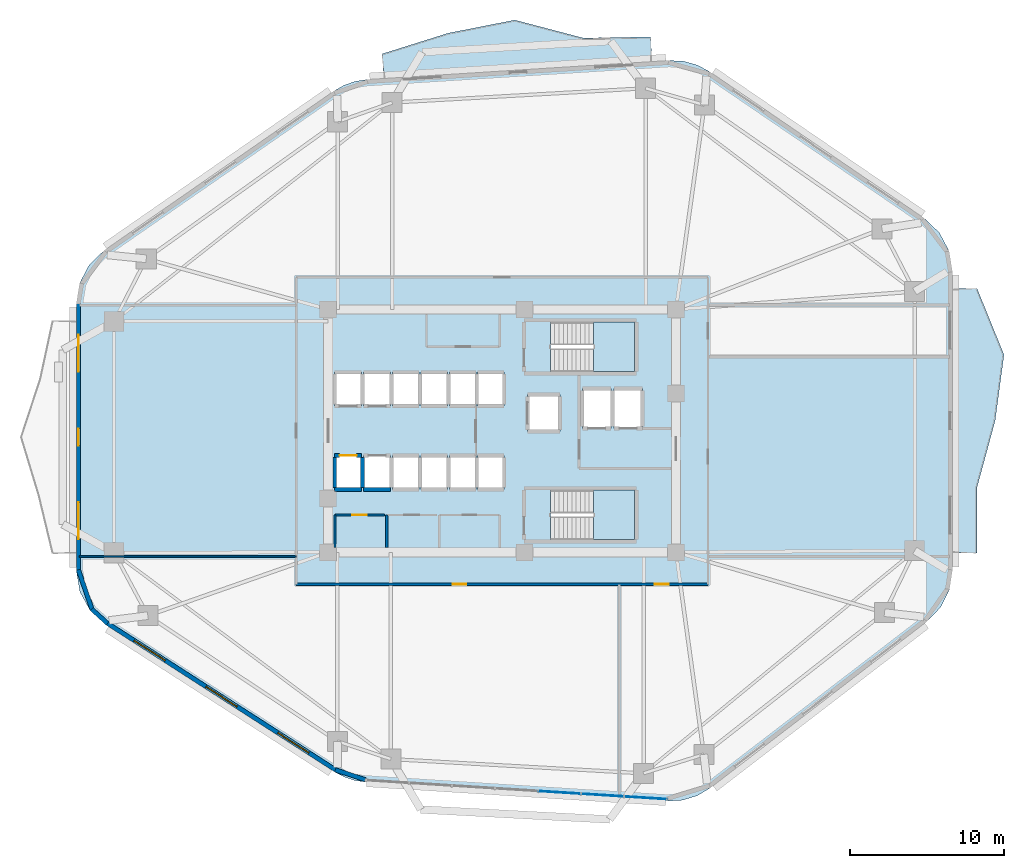
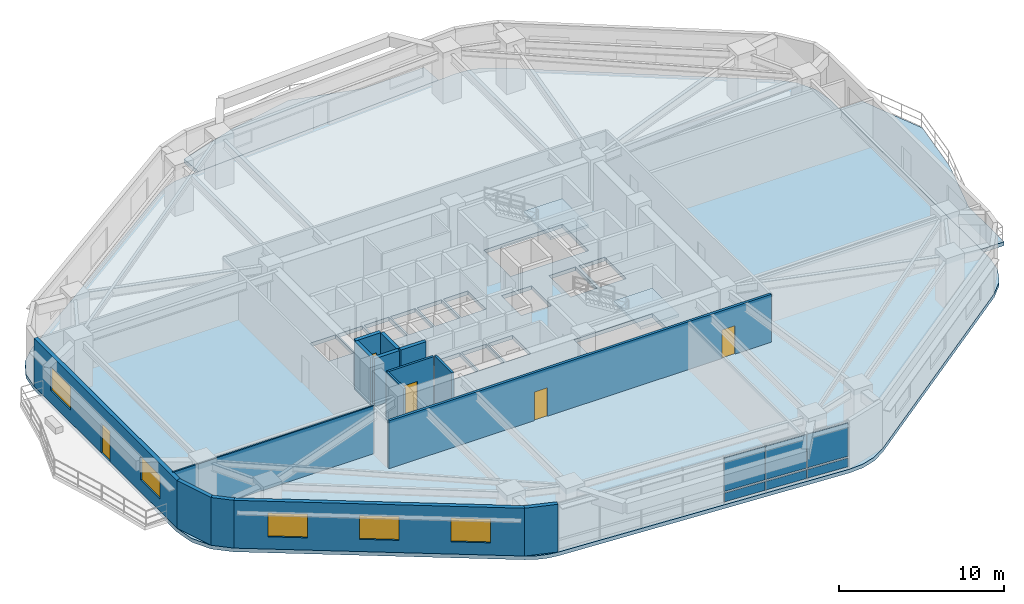
# One storey, part 7 of 13: 15 walls, 6 plates, 5 doors, 5 slabs, 5 windows, 10 openings, 3 elements without a shape of their own.
"""IFC4 building model written with IfcOpenShell, lengths in metres."""

from ifc_helpers import new_model, si_unit, direction, frame, frame_2d, origin, origin_2d, place, context, subcontext, project, spatial, polyline, rectangle, outline, extrude, material, layer, layer_set, type_object, element, fill, aggregate, save


model = new_model("IFC4")

# Units and contexts
model_context = context("Model", 3, precision=1e-05, world=origin(), true_north=direction((0.0, 1.0)))
body_context = subcontext(model_context, "Body", "Model", "MODEL_VIEW")
ifc_project = project(units=[si_unit("LENGTHUNIT", "METRE"), si_unit("AREAUNIT", "SQUARE_METRE"), si_unit("VOLUMEUNIT", "CUBIC_METRE"), si_unit("PLANEANGLEUNIT", "RADIAN"), si_unit("MASSUNIT", "GRAM", prefix="KILO")], contexts=[model_context])

# Site, building, storey
site_placement = place(None, origin())
site = spatial("IfcSite", under=ifc_project, at=site_placement, CompositionType="ELEMENT")
building_placement = place(site_placement, origin())
building = spatial("IfcBuilding", under=site, at=building_placement, Name="Zulverin Broadcast Headquarters", CompositionType="ELEMENT")
storey_placement = place(building_placement, frame((0.0, 0.0, 70.60009765625)))
storey = spatial("IfcBuildingStorey", under=building, at=storey_placement, Name="L17", CompositionType="ELEMENT", Elevation=70.60009765625)

# Curtain wall, plates
ifc_material_1 = material(Name="Low-zone ribbon unitised curtain wall", Category="aluminium")
curtain_wall_type = type_object("IfcCurtainWallType", Name="CW-TWR-LOW", PredefinedType="USERDEFINED", material=ifc_material_1)
curtain_wall_placement = place(storey_placement, origin())
curtain_wall = element("IfcCurtainWall", 1, at=curtain_wall_placement, inside=storey, type_object=curtain_wall_type, Name="L17 Unitised Curtain Wall CW-L17-E1", ObjectType="UNITISED CURTAIN WALL", PredefinedType="USERDEFINED")
ifc_material_2 = material(Name="Low-E double-glazed pale-silver vision glass", Category="glass")
ifc_layer_1 = layer(ifc_material_2, 0.035888671875, Name="Low-E double-glazed pale-silver vision glass", Category="glass")
ifc_layer_set_1 = layer_set([ifc_layer_1], Name="Low-E double-glazed pale-silver vision glass")
plate_type_1 = type_object("IfcPlateType", Name="CW-PNL-GLZ", PredefinedType="CURTAIN_PANEL", material=ifc_layer_set_1)
plate_1_placement = place(storey_placement, frame((40.72021484375, 1.759033203125, 0.910888671875), z_axis=(0.0, 0.0, 1.0), x_axis=(0.998017182581, -0.062942062821, 0.0)))
plate_1 = element("IfcPlate", 2, at=plate_1_placement, type_object=plate_type_1, Name="CW-L17-E1 Vision Panel 04", PredefinedType="CURTAIN_PANEL", context=body_context, shape_type="SweptSolid", body=[
    extrude(rectangle(XDim=2.756591796875, YDim=0.035888671875, at=origin_2d()), origin(), (0.0, 0.0, 1.0), 2.47412109375),
])
plate_2_placement = place(storey_placement, frame((43.511474609375, 1.5830078125, 0.910888671875), z_axis=(0.0, 0.0, 1.0), x_axis=(0.998017182581, -0.062942062821, 0.0)))
plate_2 = element("IfcPlate", 3, at=plate_2_placement, type_object=plate_type_1, Name="CW-L17-E1 Vision Panel 05", PredefinedType="CURTAIN_PANEL", context=body_context, shape_type="SweptSolid", body=[
    extrude(rectangle(XDim=2.756591796875, YDim=0.035888671875, at=origin_2d()), origin(), (0.0, 0.0, 1.0), 2.47412109375),
])
plate_3_placement = place(storey_placement, frame((46.302490234375, 1.406982421875, 0.910888671875), z_axis=(0.0, 0.0, 1.0), x_axis=(0.998017182581, -0.062942062821, 0.0)))
plate_3 = element("IfcPlate", 4, at=plate_3_placement, type_object=plate_type_1, Name="CW-L17-E1 Vision Panel 06", PredefinedType="CURTAIN_PANEL", context=body_context, shape_type="SweptSolid", body=[
    extrude(rectangle(XDim=2.756591796875, YDim=0.035888671875, at=origin_2d()), origin(), (0.0, 0.0, 1.0), 2.47412109375),
])
ifc_material_3 = material(Name="Insulated brushed pale-aluminium spandrel cassette", Category="aluminium")
ifc_layer_2 = layer(ifc_material_3, 0.050048828125, Name="Insulated brushed pale-aluminium spandrel cassette", Category="aluminium")
ifc_layer_set_2 = layer_set([ifc_layer_2], Name="Insulated brushed pale-aluminium spandrel cassette")
plate_type_2 = type_object("IfcPlateType", Name="CW-PNL-SPN", PredefinedType="CURTAIN_PANEL", material=ifc_layer_set_2)
plate_4_placement = place(storey_placement, frame((40.72021484375, 1.759033203125, 0.139892578125), z_axis=(0.0, 0.0, 1.0), x_axis=(0.998017182581, -0.062942062821, 0.0)))
plate_4 = element("IfcPlate", 5, at=plate_4_placement, type_object=plate_type_2, Name="CW-L17-E1 Spandrel Cassette 04", PredefinedType="CURTAIN_PANEL", context=body_context, shape_type="SweptSolid", body=[
    extrude(rectangle(XDim=2.756591796875, YDim=0.050048828125, at=origin_2d()), origin(), (0.0, 0.0, 1.0), 0.64111328125),
])
plate_5_placement = place(storey_placement, frame((43.511474609375, 1.5830078125, 0.139892578125), z_axis=(0.0, 0.0, 1.0), x_axis=(0.998017182581, -0.062942062821, 0.0)))
plate_5 = element("IfcPlate", 6, at=plate_5_placement, type_object=plate_type_2, Name="CW-L17-E1 Spandrel Cassette 05", PredefinedType="CURTAIN_PANEL", context=body_context, shape_type="SweptSolid", body=[
    extrude(rectangle(XDim=2.756591796875, YDim=0.050048828125, at=origin_2d()), origin(), (0.0, 0.0, 1.0), 0.64111328125),
])
plate_6_placement = place(storey_placement, frame((46.302490234375, 1.406982421875, 0.139892578125), z_axis=(0.0, 0.0, 1.0), x_axis=(0.998017182581, -0.062942062821, 0.0)))
plate_6 = element("IfcPlate", 7, at=plate_6_placement, type_object=plate_type_2, Name="CW-L17-E1 Spandrel Cassette 06", PredefinedType="CURTAIN_PANEL", context=body_context, shape_type="SweptSolid", body=[
    extrude(rectangle(XDim=2.756591796875, YDim=0.050048828125, at=origin_2d()), origin(), (0.0, 0.0, 1.0), 0.64111328125),
])
aggregate(curtain_wall, [plate_4, plate_1, plate_5, plate_2, plate_6, plate_3])

# Slabs
ifc_material_4 = material(Name="Concrete C40/50", Category="concrete")
ifc_layer_3 = layer(ifc_material_4, 0.27490234375, Name="Concrete C40/50", Category="concrete")
ifc_layer_set_3 = layer_set([ifc_layer_3], Name="Concrete C40/50")
slab_type_1 = type_object("IfcSlabType", Name="SLB-BAL-275", PredefinedType="FLOOR", material=ifc_layer_set_3)
slab_1_placement = place(storey_placement, frame((0.0, 0.0, -0.275146484375)))
element("IfcSlab", 8, at=slab_1_placement, inside=storey, type_object=slab_type_1, Name="L17 Cantilevered Planted Balcony Slab BAL_E", PredefinedType="FLOOR", context=body_context, shape_type="SweptSolid", body=[
    extrude(outline(polyline([(66.199951171875, 34.41455078125), (66.199951171875, 17.283447265625), (67.800048828125, 17.283447265625), (67.800048828125, 21.566162109375), (68.96435546875, 25.848876953125), (69.540283203125, 30.131591796875), (67.800048828125, 34.41455078125), (66.199951171875, 34.41455078125)])), origin(), (0.0, 0.0, 1.0), 0.275146484375),
])
slab_2_placement = place(storey_placement, frame((0.0, 0.0, -0.275146484375)))
element("IfcSlab", 9, at=slab_2_placement, inside=storey, type_object=slab_type_1, Name="L17 Cantilevered Planted Balcony Slab BAL_N", PredefinedType="FLOOR", context=body_context, shape_type="SweptSolid", body=[
    extrude(outline(polyline([(29.330078125, 48.04296875), (46.72509765625, 49.139892578125), (46.62451171875, 50.73681640625), (42.2626953125, 50.6689453125), (37.8232421875, 51.8349609375), (33.5107421875, 50.985107421875), (29.2294921875, 49.639892578125), (29.330078125, 48.04296875)])), origin(), (0.0, 0.0, 1.0), 0.275146484375),
])

# Stair, slab
stair_type = type_object("IfcStairType", Name="ST-CORE-1500", PredefinedType="HALF_TURN_STAIR", material=ifc_material_4)
stair_1_placement = place(storey_placement, origin())
stair_1 = element("IfcStair", 10, at=stair_1_placement, inside=storey, type_object=stair_type, Name="L17 Core Exit Stair ST-1", PredefinedType="HALF_TURN_STAIR")
ifc_layer_4 = layer(ifc_material_4, 0.199951171875, Name="Concrete C40/50", Category="concrete")
ifc_layer_set_4 = layer_set([ifc_layer_4], Name="Concrete C40/50")
slab_type_2 = type_object("IfcSlabType", Name="SLB-ST-LND200", PredefinedType="LANDING", material=ifc_layer_set_4)
slab_3_placement = place(storey_placement, frame((0.0, 0.0, 1.699951171875)))
slab_3 = element("IfcSlab", 11, at=slab_3_placement, type_object=slab_type_2, Name="ST-1 landing 1", PredefinedType="LANDING", context=body_context, shape_type="SweptSolid", body=[
    extrude(outline(polyline([(42.929931640625, 29.050048828125), (45.60009765625, 29.050048828125), (45.60009765625, 32.25), (42.929931640625, 32.25), (42.929931640625, 29.050048828125)])), origin(), (0.0, 0.0, 1.0), 0.199951171875),
])
aggregate(stair_1, [slab_3])

stair_2_placement = place(storey_placement, origin())
stair_2 = element("IfcStair", 12, at=stair_2_placement, inside=storey, type_object=stair_type, Name="L17 Core Exit Stair ST-2", PredefinedType="HALF_TURN_STAIR")
slab_4_placement = place(storey_placement, frame((0.0, 0.0, 1.699951171875)))
slab_4 = element("IfcSlab", 13, at=slab_4_placement, type_object=slab_type_2, Name="ST-2 landing 1", PredefinedType="LANDING", context=body_context, shape_type="SweptSolid", body=[
    extrude(outline(polyline([(42.929931640625, 18.14990234375), (45.60009765625, 18.14990234375), (45.60009765625, 21.35009765625), (42.929931640625, 21.35009765625), (42.929931640625, 18.14990234375)])), origin(), (0.0, 0.0, 1.0), 0.199951171875),
])
aggregate(stair_2, [slab_4])

# Slab
ifc_layer_5 = layer(ifc_material_4, 0.27490234375, Name="Concrete C40/50", Category="concrete")
ifc_layer_set_5 = layer_set([ifc_layer_5], Name="Concrete C40/50")
slab_type_3 = type_object("IfcSlabType", Name="SLB-TWR-275", PredefinedType="FLOOR", material=ifc_layer_set_5)
slab_5_placement = place(storey_placement, frame((0.0, 0.0, -0.275146484375)))
element("IfcSlab", 14, at=slab_5_placement, inside=storey, type_object=slab_type_3, Name="L17 Main Structural Floor Slab", PredefinedType="FLOOR", context=body_context, shape_type="SweptSolid", body=[
    extrude(outline(polyline([(26.146484375, 3.089599609375), (26.774658203125, 2.75732421875), (27.44970703125, 2.535888671875), (28.152587890625, 2.431396484375), (47.690673828125, 1.19921875), (48.69189453125, 1.256103515625), (49.6513671875, 1.548828125), (50.51416015625, 2.060546875), (64.55908203125, 12.85302734375), (65.44140625, 13.77587890625), (66.005859375, 14.92138671875), (66.199951171875, 16.183349609375), (66.199951171875, 35.514404296875), (65.981689453125, 36.85107421875), (65.349365234375, 38.048583984375), (64.368896484375, 38.982666015625), (50.456298828125, 48.485595703125), (49.639404296875, 48.920166015625), (48.747314453125, 49.165283203125), (47.822998046875, 49.208984375), (28.232421875, 47.9736328125), (27.481201171875, 47.857421875), (26.76318359375, 47.607666015625), (26.102294921875, 47.232666015625), (11.20556640625, 36.89501953125), (10.238037109375, 35.9619140625), (9.614990234375, 34.77099609375), (9.39990234375, 33.4443359375), (9.39990234375, 16.1435546875), (9.631103515625, 14.769775390625), (10.298583984375, 13.547119140625), (11.32958984375, 12.610107421875), (26.146484375, 3.089599609375)]), holes=[polyline([(40.155029296875, 30.75), (40.130126953125, 30.75), (40.130126953125, 32.25), (45.60009765625, 32.25), (45.60009765625, 29.050048828125), (40.155029296875, 29.050048828125), (40.155029296875, 30.75)]), polyline([(40.155029296875, 19.85009765625), (40.130126953125, 19.85009765625), (40.130126953125, 21.35009765625), (45.60009765625, 21.35009765625), (45.60009765625, 18.14990234375), (40.155029296875, 18.14990234375), (40.155029296875, 19.85009765625)]), polyline([(26.14990234375, 26.800048828125), (27.89990234375, 26.800048828125), (27.89990234375, 29.0), (26.14990234375, 29.0), (26.14990234375, 26.800048828125)]), polyline([(28.02001953125, 26.800048828125), (29.77001953125, 26.800048828125), (29.77001953125, 29.0), (28.02001953125, 29.0), (28.02001953125, 26.800048828125)]), polyline([(26.14990234375, 21.39990234375), (27.89990234375, 21.39990234375), (27.89990234375, 23.60009765625), (26.14990234375, 23.60009765625), (26.14990234375, 21.39990234375)]), polyline([(28.02001953125, 21.39990234375), (29.77001953125, 21.39990234375), (29.77001953125, 23.60009765625), (28.02001953125, 23.60009765625), (28.02001953125, 21.39990234375)]), polyline([(29.89990234375, 21.39990234375), (31.6201171875, 21.39990234375), (31.6201171875, 23.60009765625), (29.89990234375, 23.60009765625), (29.89990234375, 21.39990234375)]), polyline([(31.739990234375, 21.39990234375), (33.4599609375, 21.39990234375), (33.4599609375, 23.60009765625), (31.739990234375, 23.60009765625), (31.739990234375, 21.39990234375)]), polyline([(33.580078125, 21.39990234375), (35.300048828125, 21.39990234375), (35.300048828125, 23.60009765625), (33.580078125, 23.60009765625), (33.580078125, 21.39990234375)]), polyline([(35.419921875, 21.39990234375), (37.139892578125, 21.39990234375), (37.139892578125, 23.60009765625), (35.419921875, 23.60009765625), (35.419921875, 21.39990234375)]), polyline([(29.89990234375, 26.800048828125), (31.6201171875, 26.800048828125), (31.6201171875, 29.0), (29.89990234375, 29.0), (29.89990234375, 26.800048828125)]), polyline([(31.739990234375, 26.800048828125), (33.4599609375, 26.800048828125), (33.4599609375, 29.0), (31.739990234375, 29.0), (31.739990234375, 26.800048828125)]), polyline([(33.580078125, 26.800048828125), (35.300048828125, 26.800048828125), (35.300048828125, 29.0), (33.580078125, 29.0), (33.580078125, 26.800048828125)]), polyline([(35.419921875, 26.800048828125), (37.139892578125, 26.800048828125), (37.139892578125, 29.0), (35.419921875, 29.0), (35.419921875, 26.800048828125)]), polyline([(42.199951171875, 25.35009765625), (44.050048828125, 25.35009765625), (44.050048828125, 27.949951171875), (42.199951171875, 27.949951171875), (42.199951171875, 25.35009765625)]), polyline([(44.25, 25.35009765625), (46.10009765625, 25.35009765625), (46.10009765625, 27.949951171875), (44.25, 27.949951171875), (44.25, 25.35009765625)]), polyline([(38.64990234375, 25.14990234375), (40.75, 25.14990234375), (40.75, 27.550048828125), (38.64990234375, 27.550048828125), (38.64990234375, 25.14990234375)])]), origin(), (0.0, 0.0, 1.0), 0.275146484375),
])

# Wall, openings, door, windows
ifc_material_5 = material(Name="Insulated pale-metal clad concrete spandrel C40/50", Category="concrete")
ifc_layer_6 = layer(ifc_material_5, 0.280029296875, Name="Insulated pale-metal clad concrete spandrel C40/50", Category="concrete")
ifc_layer_set_6 = layer_set([ifc_layer_6], Name="Insulated pale-metal clad concrete spandrel C40/50")
wall_type_1 = type_object("IfcWallType", Name="WL-EXT-280", PredefinedType="STANDARD", material=ifc_layer_set_6)
wall_1_placement = place(storey_placement, frame((9.5400390625, 33.4443359375, 0.0), z_axis=(0.0, 0.0, 1.0), x_axis=(0.0, -1.0, 0.0)))
wall_1 = element("IfcWall", 15, at=wall_1_placement, inside=storey, type_object=wall_type_1, Name="L17 Pale-Metal Clad Spandrel Wall 7", PredefinedType="STANDARD", context=body_context, shape_type="SweptSolid", body=[
    extrude(rectangle(XDim=17.30078125, YDim=0.280029296875, at=frame_2d((8.650390625, 0.0))), origin(), (0.0, 0.0, 1.0), 3.52490234375),
])
opening_1_placement = place(wall_1_placement, frame((8.100341796875, 0.0, 0.0)))
opening_1 = element("IfcOpeningElement", 16, at=opening_1_placement, cuts=wall_1, Name="Opening D-L17-TR7", PredefinedType="OPENING", context=body_context, shape_type="SweptSolid", body=[
    extrude(rectangle(XDim=1.10009765625, YDim=2.199951171875, at=frame_2d((0.550048828125, 1.10009765625))), frame((0.0, 0.14990234375, 0.0), z_axis=(0.0, -1.0, 0.0), x_axis=(1.0, 0.0, 0.0)), (0.0, 0.0, 1.0), 0.300048828125),
])
opening_2_placement = place(wall_1_placement, frame((2.016845703125, 0.0, 0.89990234375)))
opening_2 = element("IfcOpeningElement", 17, at=opening_2_placement, cuts=wall_1, Name="Opening W-L17-E71", PredefinedType="OPENING", context=body_context, shape_type="SweptSolid", body=[
    extrude(rectangle(XDim=2.39990234375, YDim=1.75, at=frame_2d((1.199951171875, 0.875))), frame((0.0, 0.14990234375, 0.0), z_axis=(0.0, -1.0, 0.0), x_axis=(1.0, 0.0, 0.0)), (0.0, 0.0, 1.0), 0.300048828125),
])
opening_3_placement = place(wall_1_placement, frame((12.884033203125, 0.0, 0.89990234375)))
opening_3 = element("IfcOpeningElement", 18, at=opening_3_placement, cuts=wall_1, Name="Opening W-L17-E72", PredefinedType="OPENING", context=body_context, shape_type="SweptSolid", body=[
    extrude(rectangle(XDim=2.39990234375, YDim=1.75, at=frame_2d((1.199951171875, 0.875))), frame((0.0, 0.14990234375, 0.0), z_axis=(0.0, -1.0, 0.0), x_axis=(1.0, 0.0, 0.0)), (0.0, 0.0, 1.0), 0.300048828125),
])
ifc_material_6 = material(Name="Thermally broken aluminium glazed", Category="aluminium")
door_type_1 = type_object("IfcDoorType", Name="DR-TERR-1100", OperationType="SINGLE_SWING_RIGHT", PredefinedType="DOOR", material=ifc_material_6)
door_1_placement = place(opening_1_placement, origin())
door_1 = element("IfcDoor", 19, at=door_1_placement, inside=storey, type_object=door_type_1, Name="L17 Planted Terrace Glazed Access Door 7", OperationType="SINGLE_SWING_RIGHT", OverallHeight=2.199951171875, OverallWidth=1.10009765625, PredefinedType="DOOR", context=body_context, shape_type="SweptSolid", body=[
    extrude(rectangle(XDim=1.10009765625, YDim=2.199951171875, at=frame_2d((0.550048828125, 1.10009765625))), frame((0.0, 0.02490234375, 0.0), z_axis=(0.0, -1.0, 0.0), x_axis=(1.0, 0.0, 0.0)), (0.0, 0.0, 1.0), 0.050048828125),
])
fill(opening_1, door_1)
ifc_material_7 = material(Name="Pale anodized aluminium frame with solar-control low-E double glazing", Category="aluminium")
window_type = type_object("IfcWindowType", Name="WIN-RIB-2400", PartitioningType="SINGLE_PANEL", PredefinedType="WINDOW", material=ifc_material_7)
window_1_placement = place(opening_2_placement, origin())
window_1 = element("IfcWindow", 20, at=window_1_placement, inside=storey, type_object=window_type, Name="L17 Ribbon Glazing Window 7 1", OverallHeight=1.75, OverallWidth=2.39990234375, PartitioningType="SINGLE_PANEL", PredefinedType="WINDOW", context=body_context, shape_type="SweptSolid", body=[
    extrude(rectangle(XDim=2.39990234375, YDim=1.75, at=frame_2d((1.199951171875, 0.875))), frame((0.0, 0.030029296875, 0.0), z_axis=(0.0, -1.0, 0.0), x_axis=(1.0, 0.0, 0.0)), (0.0, 0.0, 1.0), 0.06005859375),
])
fill(opening_2, window_1)
window_2_placement = place(opening_3_placement, origin())
window_2 = element("IfcWindow", 21, at=window_2_placement, inside=storey, type_object=window_type, Name="L17 Ribbon Glazing Window 7 2", OverallHeight=1.75, OverallWidth=2.39990234375, PartitioningType="SINGLE_PANEL", PredefinedType="WINDOW", context=body_context, shape_type="SweptSolid", body=[
    extrude(rectangle(XDim=2.39990234375, YDim=1.75, at=frame_2d((1.199951171875, 0.875))), frame((0.0, 0.030029296875, 0.0), z_axis=(0.0, -1.0, 0.0), x_axis=(1.0, 0.0, 0.0)), (0.0, 0.0, 1.0), 0.06005859375),
])
fill(opening_3, window_2)

# Wall, openings, windows
wall_2_placement = place(storey_placement, frame((11.4052734375, 12.727783203125, 0.0), z_axis=(0.0, 0.0, 1.0), x_axis=(0.841304564637, -0.540561402175, 0.0)))
wall_2 = element("IfcWall", 22, at=wall_2_placement, inside=storey, type_object=wall_type_1, Name="L17 Pale-Metal Clad Spandrel Wall 8", PredefinedType="STANDARD", context=body_context, shape_type="SweptSolid", body=[
    extrude(rectangle(XDim=17.61181640625, YDim=0.280029296875, at=frame_2d((8.805908203125, 0.0))), origin(), (0.0, 0.0, 1.0), 3.52490234375),
])
opening_4_placement = place(wall_2_placement, frame((2.068603515625, 0.0, 0.89990234375)))
opening_4 = element("IfcOpeningElement", 23, at=opening_4_placement, cuts=wall_2, Name="Opening W-L17-E81", PredefinedType="OPENING", context=body_context, shape_type="SweptSolid", body=[
    extrude(rectangle(XDim=2.39990234375, YDim=1.75, at=frame_2d((1.199951171875, 0.875))), frame((0.0, 0.14990234375, 0.0), z_axis=(0.0, -1.0, 0.0), x_axis=(1.0, 0.0, 0.0)), (0.0, 0.0, 1.0), 0.300048828125),
])
opening_5_placement = place(wall_2_placement, frame((7.60595703125, 0.0, 0.89990234375)))
opening_5 = element("IfcOpeningElement", 24, at=opening_5_placement, cuts=wall_2, Name="Opening W-L17-E82", PredefinedType="OPENING", context=body_context, shape_type="SweptSolid", body=[
    extrude(rectangle(XDim=2.39990234375, YDim=1.75, at=frame_2d((1.199951171875, 0.875))), frame((0.0, 0.14990234375, 0.0), z_axis=(0.0, -1.0, 0.0), x_axis=(1.0, 0.0, 0.0)), (0.0, 0.0, 1.0), 0.300048828125),
])
opening_6_placement = place(wall_2_placement, frame((13.143310546875, 0.0, 0.89990234375)))
opening_6 = element("IfcOpeningElement", 25, at=opening_6_placement, cuts=wall_2, Name="Opening W-L17-E83", PredefinedType="OPENING", context=body_context, shape_type="SweptSolid", body=[
    extrude(rectangle(XDim=2.39990234375, YDim=1.75, at=frame_2d((1.199951171875, 0.875))), frame((0.0, 0.14990234375, 0.0), z_axis=(0.0, -1.0, 0.0), x_axis=(1.0, 0.0, 0.0)), (0.0, 0.0, 1.0), 0.300048828125),
])
window_3_placement = place(opening_4_placement, origin())
window_3 = element("IfcWindow", 26, at=window_3_placement, inside=storey, type_object=window_type, Name="L17 Ribbon Glazing Window 8 1", OverallHeight=1.75, OverallWidth=2.39990234375, PartitioningType="SINGLE_PANEL", PredefinedType="WINDOW", context=body_context, shape_type="SweptSolid", body=[
    extrude(rectangle(XDim=2.39990234375, YDim=1.75, at=frame_2d((1.199951171875, 0.875))), frame((0.0, 0.030029296875, 0.0), z_axis=(0.0, -1.0, 0.0), x_axis=(1.0, 0.0, 0.0)), (0.0, 0.0, 1.0), 0.06005859375),
])
fill(opening_4, window_3)
window_4_placement = place(opening_5_placement, origin())
window_4 = element("IfcWindow", 27, at=window_4_placement, inside=storey, type_object=window_type, Name="L17 Ribbon Glazing Window 8 2", OverallHeight=1.75, OverallWidth=2.39990234375, PartitioningType="SINGLE_PANEL", PredefinedType="WINDOW", context=body_context, shape_type="SweptSolid", body=[
    extrude(rectangle(XDim=2.39990234375, YDim=1.75, at=frame_2d((1.199951171875, 0.875))), frame((0.0, 0.030029296875, 0.0), z_axis=(0.0, -1.0, 0.0), x_axis=(1.0, 0.0, 0.0)), (0.0, 0.0, 1.0), 0.06005859375),
])
fill(opening_5, window_4)
window_5_placement = place(opening_6_placement, origin())
window_5 = element("IfcWindow", 28, at=window_5_placement, inside=storey, type_object=window_type, Name="L17 Ribbon Glazing Window 8 3", OverallHeight=1.75, OverallWidth=2.39990234375, PartitioningType="SINGLE_PANEL", PredefinedType="WINDOW", context=body_context, shape_type="SweptSolid", body=[
    extrude(rectangle(XDim=2.39990234375, YDim=1.75, at=frame_2d((1.199951171875, 0.875))), frame((0.0, 0.030029296875, 0.0), z_axis=(0.0, -1.0, 0.0), x_axis=(1.0, 0.0, 0.0)), (0.0, 0.0, 1.0), 0.06005859375),
])
fill(opening_6, window_5)

# Walls
wall_3_placement = place(storey_placement, frame((9.5322265625, 16.189453125, 0.0), z_axis=(0.0, 0.0, 1.0), x_axis=(0.32708309668, -0.944995580871, 0.0)))
element("IfcWall", 29, at=wall_3_placement, inside=storey, type_object=wall_type_1, Name="L17 Wind-Shaped Corner Spandrel Wall 7-1", PredefinedType="STANDARD", context=body_context, shape_type="SweptSolid", body=[
    extrude(rectangle(XDim=2.74755859375, YDim=0.280029296875, at=frame_2d((1.373779296875, 0.0))), origin(), (0.0, 0.0, 1.0), 3.52490234375),
])
wall_4_placement = place(storey_placement, frame((10.392822265625, 13.650634765625, 0.0), z_axis=(0.0, 0.0, 1.0), x_axis=(0.74003521851, -0.672568119498, 0.0)))
element("IfcWall", 30, at=wall_4_placement, inside=storey, type_object=wall_type_1, Name="L17 Wind-Shaped Corner Spandrel Wall 7-2", PredefinedType="STANDARD", context=body_context, shape_type="SweptSolid", body=[
    extrude(rectangle(XDim=1.39306640625, YDim=0.280029296875, at=frame_2d((0.696533203125, 0.0))), origin(), (0.0, 0.0, 1.0), 3.52490234375),
])
wall_5_placement = place(storey_placement, frame((26.18994140625, 3.22265625, 0.0), z_axis=(0.0, 0.0, 1.0), x_axis=(0.950175683881, -0.311714885371, 0.0)))
element("IfcWall", 31, at=wall_5_placement, inside=storey, type_object=wall_type_1, Name="L17 Wind-Shaped Corner Spandrel Wall 8-1", PredefinedType="STANDARD", context=body_context, shape_type="SweptSolid", body=[
    extrude(rectangle(XDim=2.046630859375, YDim=0.280029296875, at=frame_2d((1.0234375, 0.0))), origin(), (0.0, 0.0, 1.0), 3.52490234375),
])
ifc_material_8 = material(Name="Fire-rated acoustic laminated glass screen", Category="glass")
ifc_layer_7 = layer(ifc_material_8, 0.10009765625, Name="Fire-rated acoustic laminated glass screen", Category="glass")
ifc_layer_set_7 = layer_set([ifc_layer_7], Name="Fire-rated acoustic laminated glass screen")
wall_type_2 = type_object("IfcWallType", Name="WL-GLAZ-100", PredefinedType="PARTITIONING", material=ifc_layer_set_7)
wall_6_placement = place(storey_placement, frame((9.60498046875, 17.050048828125, 0.0), z_axis=(0.0, 0.0, 1.0), x_axis=(1.0, 0.0, 0.0)))
element("IfcWall", 32, at=wall_6_placement, inside=storey, type_object=wall_type_2, Name="L17 Room Partition Wall RP-05", PredefinedType="PARTITIONING", context=body_context, shape_type="SweptSolid", body=[
    extrude(rectangle(XDim=14.044921875, YDim=0.10009765625, at=frame_2d((7.0224609375, 0.0))), origin(), (0.0, 0.0, 1.0), 3.52490234375),
])

# Wall, opening, door
ifc_material_9 = material(Name="Fire-rated gypsum stud partition", Category="gypsum")
ifc_layer_8 = layer(ifc_material_9, 0.14990234375, Name="Fire-rated gypsum stud partition", Category="gypsum")
ifc_layer_set_8 = layer_set([ifc_layer_8], Name="Fire-rated gypsum stud partition")
wall_type_3 = type_object("IfcWallType", Name="WL-PART-150", PredefinedType="PARTITIONING", material=ifc_layer_set_8)
wall_7_placement = place(storey_placement, frame((26.169921875, 19.75, 0.0), z_axis=(0.0, 0.0, 1.0), x_axis=(1.0, 0.0, 0.0)))
wall_7 = element("IfcWall", 33, at=wall_7_placement, inside=storey, type_object=wall_type_3, Name="L17 Core Male WC Front Wall", PredefinedType="PARTITIONING", context=body_context, shape_type="SweptSolid", body=[
    extrude(rectangle(XDim=3.2001953125, YDim=0.14990234375, at=frame_2d((1.60009765625, 0.0))), origin(), (0.0, 0.0, 1.0), 3.52490234375),
])
opening_7_placement = place(wall_7_placement, frame((1.125, 0.0, 0.0)))
opening_7 = element("IfcOpeningElement", 34, at=opening_7_placement, cuts=wall_7, Name="Opening D-L17-SC1", PredefinedType="OPENING", context=body_context, shape_type="SweptSolid", body=[
    extrude(rectangle(XDim=0.949951171875, YDim=2.10009765625, at=frame_2d((0.47509765625, 1.050048828125))), frame((0.0, 0.0849609375, 0.0), z_axis=(0.0, -1.0, 0.0), x_axis=(1.0, 0.0, 0.0)), (0.0, 0.0, 1.0), 0.169921875),
])
ifc_material_10 = material(Name="Fire-rated moisture-resistant laminate leaf", Category="wood")
door_type_2 = type_object("IfcDoorType", Name="DR-WC-950", OperationType="SINGLE_SWING_LEFT", PredefinedType="DOOR", material=ifc_material_10)
door_2_placement = place(opening_7_placement, origin())
door_2 = element("IfcDoor", 35, at=door_2_placement, inside=storey, type_object=door_type_2, Name="L17 Male WC Door", OperationType="SINGLE_SWING_RIGHT", OverallHeight=2.10009765625, OverallWidth=0.949951171875, PredefinedType="DOOR", context=body_context, shape_type="SweptSolid", body=[
    extrude(rectangle(XDim=0.949951171875, YDim=2.10009765625, at=frame_2d((0.47509765625, 1.050048828125))), frame((0.0, 0.02490234375, 0.0), z_axis=(0.0, -1.0, 0.0), x_axis=(1.0, 0.0, 0.0)), (0.0, 0.0, 1.0), 0.050048828125),
])
fill(opening_7, door_2)

# Walls
for number, where, z_axis, x_axis, name in (
    (36, (26.169921875, 17.64990234375, 0.0), (0.0, 0.0, 1.0), (0.0, 1.0, 0.0), "L17 Core Male WC West Wall"),
    (37, (29.530029296875, 17.64990234375, 0.0), (0.0, 0.0, 1.0), (0.0, 1.0, 0.0), "L17 Core Female WC West Wall"),
):
    element("IfcWall", number, at=place(storey_placement, frame(where, z_axis=z_axis, x_axis=x_axis)), inside=storey, type_object=wall_type_3, Name=name, PredefinedType="PARTITIONING", context=body_context, shape_type="SweptSolid", body=[
        extrude(rectangle(XDim=2.10009765625, YDim=0.14990234375, at=frame_2d((1.050048828125, 0.0))), origin(), (0.0, 0.0, 1.0), 3.52490234375),
    ])

# Wall, openings, doors
ifc_material_11 = material(Name="Fire-rated acoustic stud wall", Category="gypsum")
ifc_layer_9 = layer(ifc_material_11, 0.175048828125, Name="Fire-rated acoustic stud wall", Category="gypsum")
ifc_layer_set_9 = layer_set([ifc_layer_9], Name="Fire-rated acoustic stud wall")
wall_type_4 = type_object("IfcWallType", Name="WL-PART-175", PredefinedType="PARTITIONING", material=ifc_layer_set_9)
wall_8_placement = place(storey_placement, frame((23.64990234375, 15.25, 0.0), z_axis=(0.0, 0.0, 1.0), x_axis=(1.0, 0.0, 0.0)))
wall_8 = element("IfcWall", 38, at=wall_8_placement, inside=storey, type_object=wall_type_4, Name="L17 Gallery Partition Wall CG-04", PredefinedType="PARTITIONING", context=body_context, shape_type="SweptSolid", body=[
    extrude(rectangle(XDim=26.7001953125, YDim=0.175048828125, at=frame_2d((13.35009765625, 0.0))), origin(), (0.0, 0.0, 1.0), 3.52490234375),
])
opening_8_placement = place(wall_8_placement, frame((10.14501953125, 0.0, 0.0)))
opening_8 = element("IfcOpeningElement", 39, at=opening_8_placement, cuts=wall_8, Name="Opening D-L17-02", PredefinedType="OPENING", context=body_context, shape_type="SweptSolid", body=[
    extrude(rectangle(XDim=0.89990234375, YDim=2.10009765625, at=frame_2d((0.449951171875, 1.050048828125))), frame((0.0, 0.097412109375, 0.0), z_axis=(0.0, -1.0, 0.0), x_axis=(1.0, 0.0, 0.0)), (0.0, 0.0, 1.0), 0.195068359375),
])
opening_9_placement = place(wall_8_placement, frame((23.2548828125, 0.0, 0.0)))
opening_9 = element("IfcOpeningElement", 40, at=opening_9_placement, cuts=wall_8, Name="Opening D-L17-03", PredefinedType="OPENING", context=body_context, shape_type="SweptSolid", body=[
    extrude(rectangle(XDim=0.89990234375, YDim=2.10009765625, at=frame_2d((0.449951171875, 1.050048828125))), frame((0.0, 0.097412109375, 0.0), z_axis=(0.0, -1.0, 0.0), x_axis=(1.0, 0.0, 0.0)), (0.0, 0.0, 1.0), 0.195068359375),
])
ifc_material_12 = material(Name="Fire-rated hardwood veneer timber leaf", Category="wood")
door_type_3 = type_object("IfcDoorType", Name="DR-ROOM-900", OperationType="SINGLE_SWING_RIGHT", PredefinedType="DOOR", material=ifc_material_12)
door_3_placement = place(opening_8_placement, origin())
door_3 = element("IfcDoor", 41, at=door_3_placement, inside=storey, type_object=door_type_3, Name="L17 Editorial Meeting Room Door", OperationType="SINGLE_SWING_LEFT", OverallHeight=2.10009765625, OverallWidth=0.89990234375, PredefinedType="DOOR", context=body_context, shape_type="SweptSolid", body=[
    extrude(rectangle(XDim=0.89990234375, YDim=2.10009765625, at=frame_2d((0.449951171875, 1.050048828125))), frame((0.0, 0.02490234375, 0.0), z_axis=(0.0, -1.0, 0.0), x_axis=(1.0, 0.0, 0.0)), (0.0, 0.0, 1.0), 0.050048828125),
])
fill(opening_8, door_3)
door_4_placement = place(opening_9_placement, origin())
door_4 = element("IfcDoor", 42, at=door_4_placement, inside=storey, type_object=door_type_3, Name="L17 Staff Dining Canteen Door", OperationType="SINGLE_SWING_RIGHT", OverallHeight=2.10009765625, OverallWidth=0.89990234375, PredefinedType="DOOR", context=body_context, shape_type="SweptSolid", body=[
    extrude(rectangle(XDim=0.89990234375, YDim=2.10009765625, at=frame_2d((0.449951171875, 1.050048828125))), frame((0.0, 0.02490234375, 0.0), z_axis=(0.0, -1.0, 0.0), x_axis=(1.0, 0.0, 0.0)), (0.0, 0.0, 1.0), 0.050048828125),
])
fill(opening_9, door_4)

# Wall
ifc_material_13 = material(Name="Concrete C50/60", Category="concrete")
ifc_layer_10 = layer(ifc_material_13, 0.25, Name="Concrete C50/60", Category="concrete")
ifc_layer_set_10 = layer_set([ifc_layer_10], Name="Concrete C50/60")
wall_type_5 = type_object("IfcWallType", Name="WL-SHAFT-250", PredefinedType="SHEAR", material=ifc_layer_set_10)
wall_9_placement = place(storey_placement, frame((26.14990234375, 21.39990234375, 0.0), z_axis=(0.0, 0.0, 1.0), x_axis=(1.0, 0.0, 0.0)))
element("IfcWall", 43, at=wall_9_placement, inside=storey, type_object=wall_type_5, Name="L17 Lift PL-L3 Shaft Wall S", PredefinedType="SHEAR", context=body_context, shape_type="SweptSolid", body=[
    extrude(rectangle(XDim=1.75, YDim=0.25, at=frame_2d((0.875, 0.0))), origin(), (0.0, 0.0, 1.0), 3.52490234375),
])

# Wall, opening, door
wall_10_placement = place(storey_placement, frame((26.14990234375, 23.60009765625, 0.0), z_axis=(0.0, 0.0, 1.0), x_axis=(1.0, 0.0, 0.0)))
wall_10 = element("IfcWall", 44, at=wall_10_placement, inside=storey, type_object=wall_type_5, Name="L17 Lift PL-L3 Shaft Wall N", PredefinedType="SHEAR", context=body_context, shape_type="SweptSolid", body=[
    extrude(rectangle(XDim=1.75, YDim=0.25, at=frame_2d((0.875, 0.0))), origin(), (0.0, 0.0, 1.0), 3.52490234375),
])
opening_10_placement = place(wall_10_placement, frame((0.324951171875, 0.0, 0.0)))
opening_10 = element("IfcOpeningElement", 45, at=opening_10_placement, cuts=wall_10, Name="Opening LD-PL-L3-L17", PredefinedType="OPENING", context=body_context, shape_type="SweptSolid", body=[
    extrude(rectangle(XDim=1.10009765625, YDim=2.14990234375, at=frame_2d((0.550048828125, 1.074951171875))), frame((0.0, 0.135009765625, 0.0), z_axis=(0.0, -1.0, 0.0), x_axis=(1.0, 0.0, 0.0)), (0.0, 0.0, 1.0), 0.27001953125),
])
ifc_material_14 = material(Name="Brushed stainless steel landing", Category="steel")
door_type_4 = type_object("IfcDoorType", Name="LD-PASS-1100", OperationType="DOUBLE_DOOR_SLIDING", PredefinedType="DOOR", material=ifc_material_14)
door_5_placement = place(opening_10_placement, origin())
door_5 = element("IfcDoor", 46, at=door_5_placement, inside=storey, type_object=door_type_4, Name="L17 Lift PL-L3 Sliding Landing Door", OperationType="DOUBLE_DOOR_SLIDING", OverallHeight=2.14990234375, OverallWidth=1.10009765625, PredefinedType="DOOR", context=body_context, shape_type="SweptSolid", body=[
    extrude(rectangle(XDim=1.10009765625, YDim=2.14990234375, at=frame_2d((0.550048828125, 1.074951171875))), frame((0.0, 0.02490234375, 0.0), z_axis=(0.0, -1.0, 0.0), x_axis=(1.0, 0.0, 0.0)), (0.0, 0.0, 1.0), 0.050048828125),
])
fill(opening_10, door_5)

# Walls
for number, where, z_axis, x_axis, name in (
    (47, (26.14990234375, 21.52001953125, 0.0), (0.0, 0.0, 1.0), (0.0, 1.0, 0.0), "L17 Lift PL-L3 Shaft Wall W"),
    (48, (27.9599609375, 21.52001953125, 0.0), (0.0, 0.0, 1.0), (0.0, 1.0, 0.0), "L17 Lift PL-L3 Shaft Wall E"),
):
    element("IfcWall", number, at=place(storey_placement, frame(where, z_axis=z_axis, x_axis=x_axis)), inside=storey, type_object=wall_type_5, Name=name, PredefinedType="SHEAR", context=body_context, shape_type="SweptSolid", body=[
        extrude(rectangle(XDim=1.9599609375, YDim=0.25, at=frame_2d((0.97998046875, 0.0))), origin(), (0.0, 0.0, 1.0), 3.52490234375),
    ])
wall_11_placement = place(storey_placement, frame((28.02001953125, 21.39990234375, 0.0), z_axis=(0.0, 0.0, 1.0), x_axis=(1.0, 0.0, 0.0)))
element("IfcWall", 49, at=wall_11_placement, inside=storey, type_object=wall_type_5, Name="L17 Lift PL-L4 Shaft Wall S", PredefinedType="SHEAR", context=body_context, shape_type="SweptSolid", body=[
    extrude(rectangle(XDim=1.75, YDim=0.25, at=frame_2d((0.875, 0.0))), origin(), (0.0, 0.0, 1.0), 3.52490234375),
])

save(model, "model.ifc")
